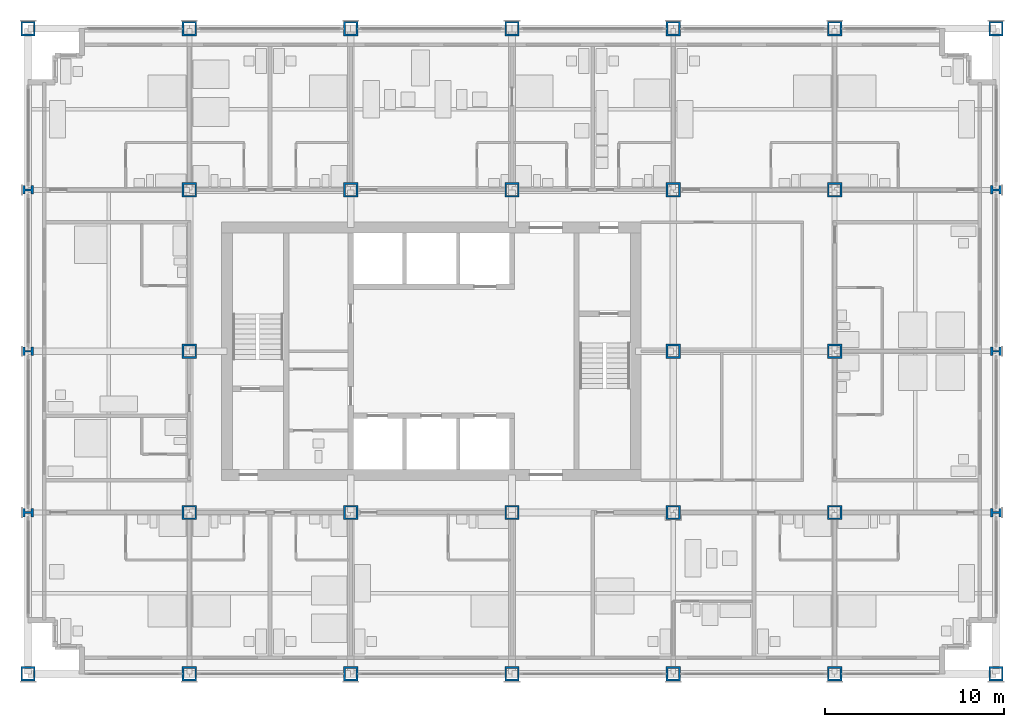
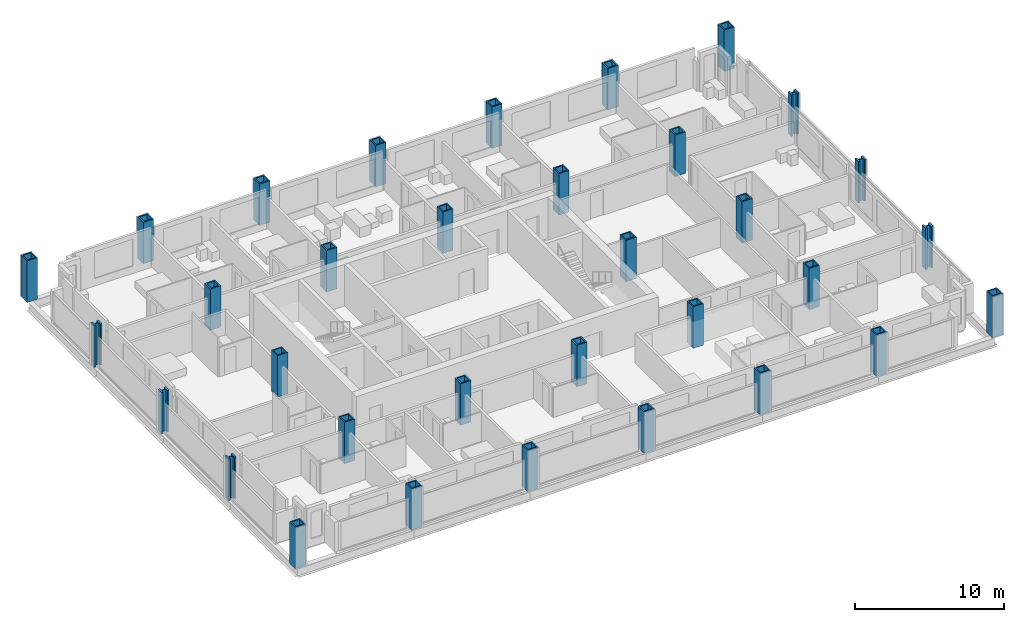
# One storey, part 1 of 18: 33 columns.
"""IFC4 building model written with IfcOpenShell, lengths in metres."""

from ifc_helpers import new_model, si_unit, direction, frame, origin, origin_2d, place, context, subcontext, project, spatial, hollow_rectangle, i_section, extrude, material, material_profile, profile_set, type_object, element, save


model = new_model("IFC4")

# Units and contexts
model_context = context("Model", 3, precision=1e-05, world=origin(), true_north=direction((0.0, 1.0)))
body_context = subcontext(model_context, "Body", "Model", "MODEL_VIEW")
ifc_project = project(units=[si_unit("LENGTHUNIT", "METRE"), si_unit("AREAUNIT", "SQUARE_METRE"), si_unit("VOLUMEUNIT", "CUBIC_METRE"), si_unit("PLANEANGLEUNIT", "RADIAN"), si_unit("MASSUNIT", "GRAM", prefix="KILO")], contexts=[model_context])

# Site, building, storey
site_placement = place(None, origin())
site = spatial("IfcSite", under=ifc_project, at=site_placement, CompositionType="ELEMENT")
building_placement = place(site_placement, origin())
building = spatial("IfcBuilding", under=site, at=building_placement, Name="Loomwork Tower", CompositionType="ELEMENT")
storey_placement = place(building_placement, frame((0.0, 0.0, 31.39990234375)))
storey = spatial("IfcBuildingStorey", under=building, at=storey_placement, Name="L06", CompositionType="ELEMENT", Elevation=31.39990234375)

# Columns
ifc_material_1 = material(Name="Steel ASTM A572 Grade 50 plate", Category="steel")
ifc_material_profile_1 = material_profile(ifc_material_1, hollow_rectangle(XDim=0.800048828125, YDim=0.800048828125, WallThickness=0.10009765625, at=origin_2d()), Name="BOX800x100")
ifc_profile_set_1 = profile_set([ifc_material_profile_1], Name="Steel ASTM A572 Grade 50 plate")
column_type_1 = type_object("IfcColumnType", Name="EXOSKELETON PIER BOX800x100", PredefinedType="COLUMN", material=ifc_profile_set_1)
for number, where, z_axis, x_axis, name in (
    (1, (0.0, 0.0, 0.0), (0.0, 0.0, 1.0), (1.0, 0.0, 0.0), "Exoskeleton Pier D/2 L06"),
    (2, (0.0, 36.0, 0.0), (0.0, 0.0, 1.0), (1.0, 0.0, 0.0), "Exoskeleton Pier H/2 L06"),
    (3, (9.0, 0.0, 0.0), (0.0, 0.0, 1.0), (1.0, 0.0, 0.0), "Exoskeleton Pier D/3 L06"),
    (4, (9.0, 36.0, 0.0), (0.0, 0.0, 1.0), (1.0, 0.0, 0.0), "Exoskeleton Pier H/3 L06"),
    (5, (18.0, 0.0, 0.0), (0.0, 0.0, 1.0), (1.0, 0.0, 0.0), "Exoskeleton Pier D/4 L06"),
    (6, (18.0, 36.0, 0.0), (0.0, 0.0, 1.0), (1.0, 0.0, 0.0), "Exoskeleton Pier H/4 L06"),
    (7, (27.0, 0.0, 0.0), (0.0, 0.0, 1.0), (1.0, 0.0, 0.0), "Exoskeleton Pier D/5 L06"),
    (8, (27.0, 36.0, 0.0), (0.0, 0.0, 1.0), (1.0, 0.0, 0.0), "Exoskeleton Pier H/5 L06"),
    (9, (36.0, 0.0, 0.0), (0.0, 0.0, 1.0), (1.0, 0.0, 0.0), "Exoskeleton Pier D/6 L06"),
    (10, (36.0, 36.0, 0.0), (0.0, 0.0, 1.0), (1.0, 0.0, 0.0), "Exoskeleton Pier H/6 L06"),
    (11, (45.0, 0.0, 0.0), (0.0, 0.0, 1.0), (1.0, 0.0, 0.0), "Exoskeleton Pier D/7 L06"),
    (12, (45.0, 36.0, 0.0), (0.0, 0.0, 1.0), (1.0, 0.0, 0.0), "Exoskeleton Pier H/7 L06"),
    (13, (54.0, 0.0, 0.0), (0.0, 0.0, 1.0), (1.0, 0.0, 0.0), "Exoskeleton Pier D/8 L06"),
    (14, (54.0, 36.0, 0.0), (0.0, 0.0, 1.0), (1.0, 0.0, 0.0), "Exoskeleton Pier H/8 L06"),
):
    element("IfcColumn", number, at=place(storey_placement, frame(where, z_axis=z_axis, x_axis=x_axis)), inside=storey, type_object=column_type_1, Name=name, PredefinedType="COLUMN", context=body_context, shape_type="SweptSolid", body=[
        extrude(hollow_rectangle(XDim=0.800048828125, YDim=0.800048828125, WallThickness=0.10009765625, at=origin_2d()), origin(), (0.0, 0.0, 1.0), 3.400146484375),
    ])
ifc_material_2 = material(Name="Steel ASTM A992", Category="steel")
ifc_material_profile_2 = material_profile(ifc_material_2, i_section(OverallWidth=0.4775390625, OverallDepth=0.599365234375, WebThickness=0.10009765625, FlangeThickness=0.139892578125, at=origin_2d()), Name="W14x873")
ifc_profile_set_2 = profile_set([ifc_material_profile_2], Name="Steel ASTM A992")
column_type_2 = type_object("IfcColumnType", Name="EXOSKELETON PIER W14x873", PredefinedType="COLUMN", material=ifc_profile_set_2)
for number, where, z_axis, x_axis, name in (
    (15, (0.0, 9.0, 0.0), (0.0, 0.0, 1.0), (0.0, 1.0, 0.0), "Exoskeleton Pier E/2 L06"),
    (16, (0.0, 18.0, 0.0), (0.0, 0.0, 1.0), (0.0, 1.0, 0.0), "Exoskeleton Pier F/2 L06"),
    (17, (0.0, 27.0, 0.0), (0.0, 0.0, 1.0), (0.0, 1.0, 0.0), "Exoskeleton Pier G/2 L06"),
    (18, (54.0, 9.0, 0.0), (0.0, 0.0, 1.0), (0.0, 1.0, 0.0), "Exoskeleton Pier E/8 L06"),
    (19, (54.0, 18.0, 0.0), (0.0, 0.0, 1.0), (0.0, 1.0, 0.0), "Exoskeleton Pier F/8 L06"),
    (20, (54.0, 27.0, 0.0), (0.0, 0.0, 1.0), (0.0, 1.0, 0.0), "Exoskeleton Pier G/8 L06"),
):
    element("IfcColumn", number, at=place(storey_placement, frame(where, z_axis=z_axis, x_axis=x_axis)), inside=storey, type_object=column_type_2, Name=name, PredefinedType="COLUMN", context=body_context, shape_type="SweptSolid", body=[
        extrude(i_section(OverallWidth=0.4775390625, OverallDepth=0.599365234375, WebThickness=0.10009765625, FlangeThickness=0.139892578125, at=origin_2d()), origin(), (0.0, 0.0, 1.0), 3.400146484375),
    ])
ifc_material_3 = material(Name="Steel ASTM A572 Grade 50 plate", Category="steel")
ifc_material_profile_3 = material_profile(ifc_material_3, hollow_rectangle(XDim=0.800048828125, YDim=0.800048828125, WallThickness=0.10009765625, at=origin_2d()), Name="BOX800x100")
ifc_profile_set_3 = profile_set([ifc_material_profile_3], Name="Steel ASTM A572 Grade 50 plate")
column_type_3 = type_object("IfcColumnType", Name="TOWER COLUMN BOX800x100", PredefinedType="COLUMN", material=ifc_profile_set_3)
for number, where, z_axis, x_axis, name in (
    (21, (9.0, 9.0, 0.0), (0.0, 0.0, 1.0), (1.0, 0.0, 0.0), "Tower Column E/3 L06"),
    (22, (9.0, 18.0, 0.0), (0.0, 0.0, 1.0), (1.0, 0.0, 0.0), "Tower Column F/3 L06"),
    (23, (9.0, 27.0, 0.0), (0.0, 0.0, 1.0), (1.0, 0.0, 0.0), "Tower Column G/3 L06"),
    (24, (18.0, 9.0, 0.0), (0.0, 0.0, 1.0), (1.0, 0.0, 0.0), "Tower Column E/4 L06"),
    (25, (18.0, 27.0, 0.0), (0.0, 0.0, 1.0), (1.0, 0.0, 0.0), "Tower Column G/4 L06"),
    (26, (27.0, 9.0, 0.0), (0.0, 0.0, 1.0), (1.0, 0.0, 0.0), "Tower Column E/5 L06"),
    (27, (27.0, 27.0, 0.0), (0.0, 0.0, 1.0), (1.0, 0.0, 0.0), "Tower Column G/5 L06"),
    (28, (36.0, 9.0, 0.0), (0.0, 0.0, 1.0), (0.0, 1.0, 0.0), "Tower Column E/6 L06"),
    (29, (36.0, 18.0, 0.0), (0.0, 0.0, 1.0), (0.0, 1.0, 0.0), "Tower Column F/6 L06"),
    (30, (36.0, 27.0, 0.0), (0.0, 0.0, 1.0), (1.0, 0.0, 0.0), "Tower Column G/6 L06"),
    (31, (45.0, 9.0, 0.0), (0.0, 0.0, 1.0), (0.0, 1.0, 0.0), "Tower Column E/7 L06"),
    (32, (45.0, 18.0, 0.0), (0.0, 0.0, 1.0), (0.0, 1.0, 0.0), "Tower Column F/7 L06"),
    (33, (45.0, 27.0, 0.0), (0.0, 0.0, 1.0), (0.0, 1.0, 0.0), "Tower Column G/7 L06"),
):
    element("IfcColumn", number, at=place(storey_placement, frame(where, z_axis=z_axis, x_axis=x_axis)), inside=storey, type_object=column_type_3, Name=name, PredefinedType="COLUMN", context=body_context, shape_type="SweptSolid", body=[
        extrude(hollow_rectangle(XDim=0.800048828125, YDim=0.800048828125, WallThickness=0.10009765625, at=origin_2d()), origin(), (0.0, 0.0, 1.0), 3.400146484375),
    ])

save(model, "model.ifc")
